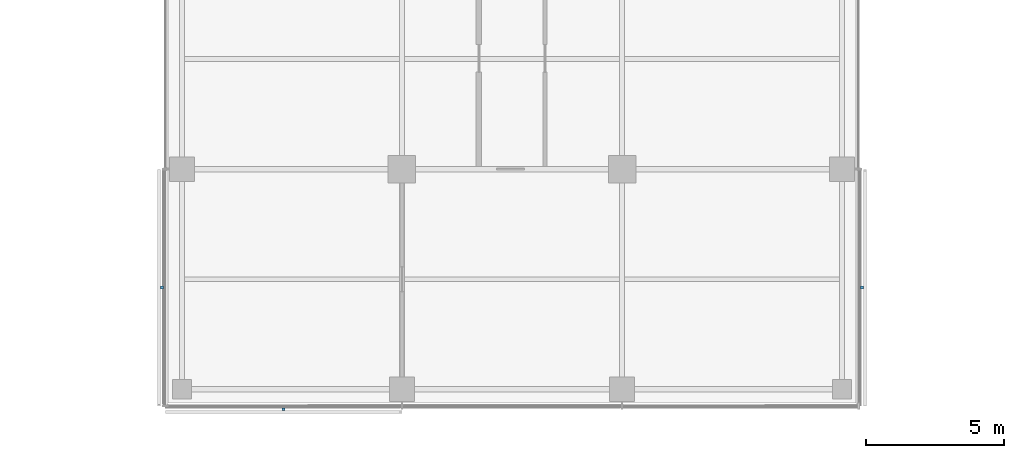
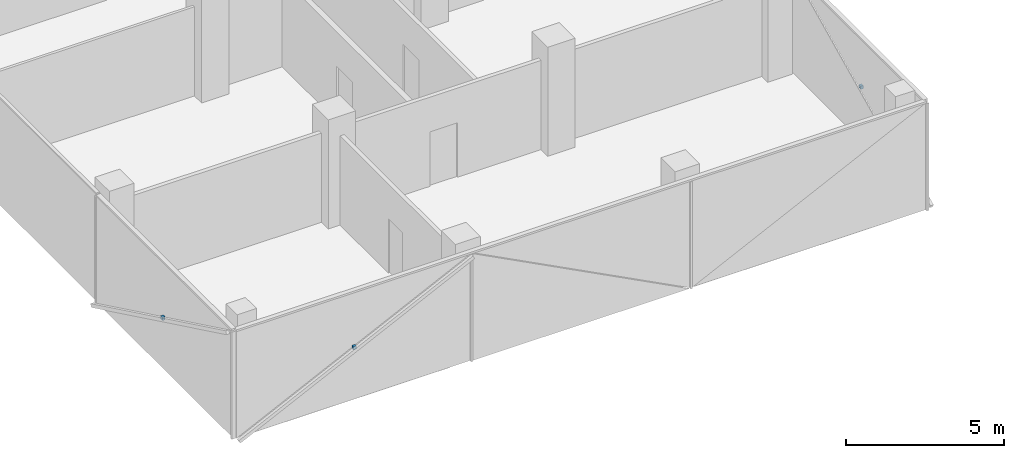
# One storey, part 18 of 22: 3 discrete accessories.
"""IFC4 building model written with IfcOpenShell, lengths in metres."""

from ifc_helpers import new_model, si_unit, direction, frame, origin, origin_2d, place, context, subcontext, project, spatial, rectangle, extrude, material, type_object, element, save


model = new_model("IFC4")

# Units and contexts
model_context = context("Model", 3, precision=1e-05, world=origin(), true_north=direction((0.0, 1.0)))
body_context = subcontext(model_context, "Body", "Model", "MODEL_VIEW")
ifc_project = project(units=[si_unit("LENGTHUNIT", "METRE"), si_unit("AREAUNIT", "SQUARE_METRE"), si_unit("VOLUMEUNIT", "CUBIC_METRE"), si_unit("PLANEANGLEUNIT", "RADIAN"), si_unit("MASSUNIT", "GRAM", prefix="KILO")], contexts=[model_context])

# Site, building, storey
site_placement = place(None, origin())
site = spatial("IfcSite", under=ifc_project, at=site_placement, CompositionType="ELEMENT")
building_placement = place(site_placement, origin())
building = spatial("IfcBuilding", under=site, at=building_placement, Name="Crosswind Convention Tower", CompositionType="ELEMENT")
storey_placement = place(building_placement, frame((0.0, 0.0, 129.5)))
storey = spatial("IfcBuildingStorey", under=building, at=storey_placement, Name="L26", CompositionType="ELEMENT", Elevation=129.5)

# Discrete accessories
ifc_material = material(Name="Stainless steel", Category="steel")
discrete_accessory_type = type_object("IfcDiscreteAccessoryType", Name="BAGUETTE BRACKET BK3", PredefinedType="BRACKET", material=ifc_material)
for number, where, z_axis, x_axis, name in (
    (1, (112.27392578125, 75.695068359375, 1.704833984375), (0.0, 0.0, 1.0), (0.0, -1.0, 0.0), "BK3 baguette bracket"),
    (2, (116.695068359375, 71.27392578125, 1.704833984375), (0.0, 0.0, 1.0), (1.0, 0.0, 0.0), "BK3 baguette bracket"),
    (3, (137.72607421875, 75.695068359375, 1.704833984375), (0.0, 0.0, 1.0), (0.0, 1.0, 0.0), "BK3 baguette bracket"),
):
    element("IfcDiscreteAccessory", number, at=place(storey_placement, frame(where, z_axis=z_axis, x_axis=x_axis)), inside=storey, type_object=discrete_accessory_type, Name=name, PredefinedType="BRACKET", context=body_context, shape_type="SweptSolid", body=[
        extrude(rectangle(XDim=0.1201171875, YDim=0.10009765625, at=origin_2d()), origin(), (0.0, 0.0, 1.0), 0.1201171875),
    ])

save(model, "model.ifc")
